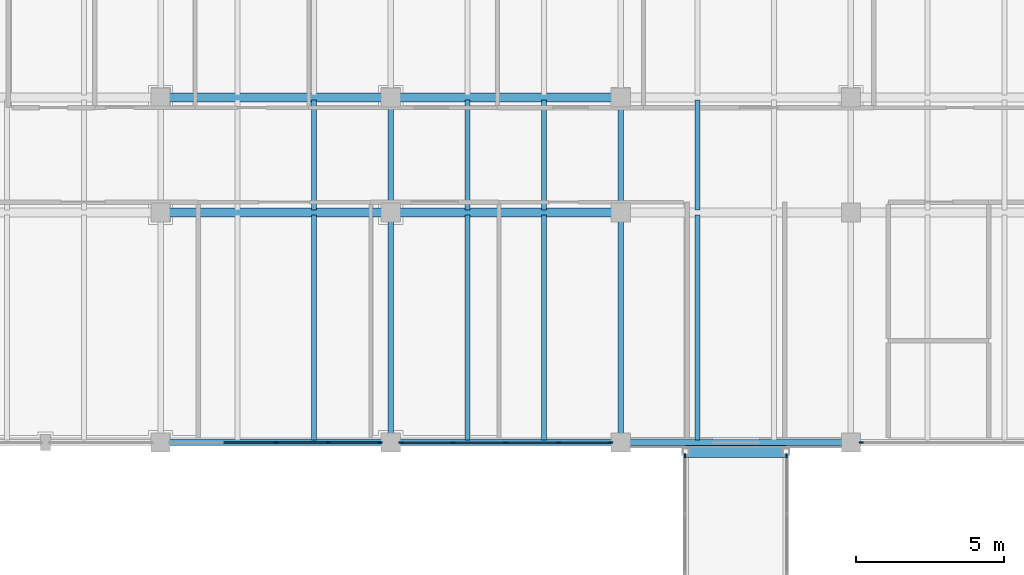
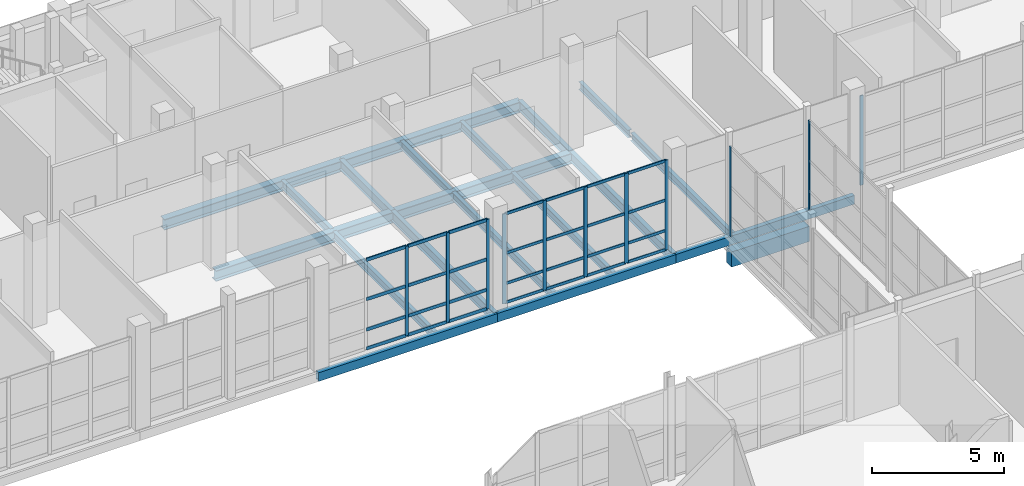
# One storey, part 67 of 131: 39 members, 20 beams, 5 elements without a shape of their own.
"""IFC4 building model written with IfcOpenShell, lengths in metres."""

from ifc_helpers import new_model, si_unit, direction, frame, origin, origin_2d, place, context, subcontext, project, spatial, rectangle, hollow_rectangle, i_section, extrude, material, layer, layer_set, material_profile, profile_set, type_object, element, aggregate, save


model = new_model("IFC4")

# Units and contexts
model_context = context("Model", 3, precision=1e-05, world=origin(), true_north=direction((0.0, 1.0)))
body_context = subcontext(model_context, "Body", "Model", "MODEL_VIEW")
ifc_project = project(units=[si_unit("LENGTHUNIT", "METRE"), si_unit("AREAUNIT", "SQUARE_METRE"), si_unit("VOLUMEUNIT", "CUBIC_METRE"), si_unit("PLANEANGLEUNIT", "RADIAN"), si_unit("MASSUNIT", "GRAM", prefix="KILO")], contexts=[model_context])

# Site, building, storey
site_placement = place(None, origin())
site = spatial("IfcSite", under=ifc_project, at=site_placement, CompositionType="ELEMENT")
building_placement = place(site_placement, origin())
building = spatial("IfcBuilding", under=site, at=building_placement, Name="Celorna Specialist Clinic", CompositionType="ELEMENT")
storey_placement = place(building_placement, origin())
storey = spatial("IfcBuildingStorey", under=building, at=storey_placement, Name="L00", CompositionType="ELEMENT", Elevation=0.0)

# Beams
ifc_material_1 = material(Name="Steel S355", Category="steel")
ifc_material_profile_1 = material_profile(ifc_material_1, i_section(OverallWidth=0.18994140625, OverallDepth=0.449951171875, WebThickness=0.009521484375, FlangeThickness=0.0146484375, at=origin_2d()), Name="IPE 450")
ifc_profile_set_1 = profile_set([ifc_material_profile_1], Name="Steel S355")
beam_type_1 = type_object("IfcBeamType", Name="BM-09", PredefinedType="BEAM", material=ifc_profile_set_1)
beam_1_placement = place(storey_placement, frame((132.60009765625, 96.5, -0.52490234375), z_axis=(0.0, 1.0, 0.0), x_axis=(-1.0, 0.0, 0.0)))
element("IfcBeam", 1, at=beam_1_placement, inside=storey, type_object=beam_type_1, Name="Transverse girder BM-09 #763", PredefinedType="BEAM", context=body_context, shape_type="SweptSolid", body=[
    extrude(i_section(OverallWidth=0.18994140625, OverallDepth=0.449951171875, WebThickness=0.009521484375, FlangeThickness=0.0146484375, at=origin_2d()), origin(), (0.0, 0.0, 1.0), 7.800048828125),
])
beam_2_placement = place(storey_placement, frame((132.60009765625, 104.300048828125, -0.52490234375), z_axis=(0.0, 1.0, 0.0), x_axis=(-1.0, 0.0, 0.0)))
element("IfcBeam", 2, at=beam_2_placement, inside=storey, type_object=beam_type_1, Name="Transverse girder BM-09 #764", PredefinedType="BEAM", context=body_context, shape_type="SweptSolid", body=[
    extrude(i_section(OverallWidth=0.18994140625, OverallDepth=0.449951171875, WebThickness=0.009521484375, FlangeThickness=0.0146484375, at=origin_2d()), origin(), (0.0, 0.0, 1.0), 3.89990234375),
])
beam_3_placement = place(storey_placement, frame((140.39990234375, 96.5, -0.52490234375), z_axis=(0.0, 1.0, 0.0), x_axis=(-1.0, 0.0, 0.0)))
element("IfcBeam", 3, at=beam_3_placement, inside=storey, type_object=beam_type_1, Name="Transverse girder BM-09 #766", PredefinedType="BEAM", context=body_context, shape_type="SweptSolid", body=[
    extrude(i_section(OverallWidth=0.18994140625, OverallDepth=0.449951171875, WebThickness=0.009521484375, FlangeThickness=0.0146484375, at=origin_2d()), origin(), (0.0, 0.0, 1.0), 7.800048828125),
])
beam_4_placement = place(storey_placement, frame((140.39990234375, 104.300048828125, -0.52490234375), z_axis=(0.0, 1.0, 0.0), x_axis=(-1.0, 0.0, 0.0)))
element("IfcBeam", 4, at=beam_4_placement, inside=storey, type_object=beam_type_1, Name="Transverse girder BM-09 #767", PredefinedType="BEAM", context=body_context, shape_type="SweptSolid", body=[
    extrude(i_section(OverallWidth=0.18994140625, OverallDepth=0.449951171875, WebThickness=0.009521484375, FlangeThickness=0.0146484375, at=origin_2d()), origin(), (0.0, 0.0, 1.0), 3.89990234375),
])
ifc_material_profile_2 = material_profile(ifc_material_1, i_section(OverallWidth=0.169921875, OverallDepth=0.360107421875, WebThickness=0.008056640625, FlangeThickness=0.0126953125, at=origin_2d()), Name="IPE 360")
ifc_profile_set_2 = profile_set([ifc_material_profile_2], Name="Steel S355")
beam_type_2 = type_object("IfcBeamType", Name="BM-11", PredefinedType="JOIST", material=ifc_profile_set_2)
beam_5_placement = place(storey_placement, frame((130.0, 96.587890625, -0.47998046875), z_axis=(0.0, 1.0, 0.0), x_axis=(-1.0, 0.0, 0.0)))
element("IfcBeam", 5, at=beam_5_placement, inside=storey, type_object=beam_type_2, Name="Secondary floor joist BM-11 #837", PredefinedType="JOIST", context=body_context, shape_type="SweptSolid", body=[
    extrude(i_section(OverallWidth=0.169921875, OverallDepth=0.360107421875, WebThickness=0.008056640625, FlangeThickness=0.0126953125, at=origin_2d()), origin(), (0.0, 0.0, 1.0), 7.6240234375),
])
beam_6_placement = place(storey_placement, frame((130.0, 104.387939453125, -0.47998046875), z_axis=(0.0, 1.0, 0.0), x_axis=(-1.0, 0.0, 0.0)))
element("IfcBeam", 6, at=beam_6_placement, inside=storey, type_object=beam_type_2, Name="Secondary floor joist BM-11 #839", PredefinedType="JOIST", context=body_context, shape_type="SweptSolid", body=[
    extrude(i_section(OverallWidth=0.169921875, OverallDepth=0.360107421875, WebThickness=0.008056640625, FlangeThickness=0.0126953125, at=origin_2d()), origin(), (0.0, 0.0, 1.0), 3.72412109375),
])
for number, where, z_axis, x_axis, name in (
    (7, (135.199951171875, 96.587890625, -0.47998046875), (0.0, 1.0, 0.0), (-1.0, 0.0, 0.0), "Secondary floor joist BM-11 #842"),
    (8, (137.800048828125, 96.587890625, -0.47998046875), (0.0, 1.0, 0.0), (-1.0, 0.0, 0.0), "Secondary floor joist BM-11 #843"),
):
    element("IfcBeam", number, at=place(storey_placement, frame(where, z_axis=z_axis, x_axis=x_axis)), inside=storey, type_object=beam_type_2, Name=name, PredefinedType="JOIST", context=body_context, shape_type="SweptSolid", body=[
        extrude(i_section(OverallWidth=0.169921875, OverallDepth=0.360107421875, WebThickness=0.008056640625, FlangeThickness=0.0126953125, at=origin_2d()), origin(), (0.0, 0.0, 1.0), 7.6240234375),
    ])
for number, where, z_axis, x_axis, name in (
    (9, (135.199951171875, 104.387939453125, -0.47998046875), (0.0, 1.0, 0.0), (-1.0, 0.0, 0.0), "Secondary floor joist BM-11 #844"),
    (10, (137.800048828125, 104.387939453125, -0.47998046875), (0.0, 1.0, 0.0), (-1.0, 0.0, 0.0), "Secondary floor joist BM-11 #845"),
):
    element("IfcBeam", number, at=place(storey_placement, frame(where, z_axis=z_axis, x_axis=x_axis)), inside=storey, type_object=beam_type_2, Name=name, PredefinedType="JOIST", context=body_context, shape_type="SweptSolid", body=[
        extrude(i_section(OverallWidth=0.169921875, OverallDepth=0.360107421875, WebThickness=0.008056640625, FlangeThickness=0.0126953125, at=origin_2d()), origin(), (0.0, 0.0, 1.0), 3.72412109375),
    ])
beam_7_placement = place(storey_placement, frame((143.0, 96.587890625, -0.47998046875), z_axis=(0.0, 1.0, 0.0), x_axis=(-1.0, 0.0, 0.0)))
element("IfcBeam", 11, at=beam_7_placement, inside=storey, type_object=beam_type_2, Name="Secondary floor joist BM-11 #848", PredefinedType="JOIST", context=body_context, shape_type="SweptSolid", body=[
    extrude(i_section(OverallWidth=0.169921875, OverallDepth=0.360107421875, WebThickness=0.008056640625, FlangeThickness=0.0126953125, at=origin_2d()), origin(), (0.0, 0.0, 1.0), 7.6240234375),
])
beam_8_placement = place(storey_placement, frame((143.0, 104.387939453125, -0.47998046875), z_axis=(0.0, 1.0, 0.0), x_axis=(-1.0, 0.0, 0.0)))
element("IfcBeam", 12, at=beam_8_placement, inside=storey, type_object=beam_type_2, Name="Secondary floor joist BM-11 #850", PredefinedType="JOIST", context=body_context, shape_type="SweptSolid", body=[
    extrude(i_section(OverallWidth=0.169921875, OverallDepth=0.360107421875, WebThickness=0.008056640625, FlangeThickness=0.0126953125, at=origin_2d()), origin(), (0.0, 0.0, 1.0), 3.72412109375),
])
ifc_material_profile_3 = material_profile(ifc_material_1, hollow_rectangle(XDim=0.199951171875, YDim=0.39990234375, WallThickness=0.011962890625, at=origin_2d()), Name="RHS 200x400x12")
ifc_profile_set_3 = profile_set([ifc_material_profile_3], Name="Steel S355")
beam_type_3 = type_object("IfcBeamType", Name="BM-15", PredefinedType="SPANDREL", material=ifc_profile_set_3)
beam_9_placement = place(storey_placement, frame((124.800048828125, 96.5, -0.5), z_axis=(1.0, 0.0, 0.0), x_axis=(0.0, 1.0, 0.0)))
element("IfcBeam", 13, at=beam_9_placement, inside=storey, type_object=beam_type_3, Name="Spandrel beam BM-15 #676", PredefinedType="SPANDREL", context=body_context, shape_type="SweptSolid", body=[
    extrude(hollow_rectangle(XDim=0.199951171875, YDim=0.39990234375, WallThickness=0.011962890625, at=origin_2d()), origin(), (0.0, 0.0, 1.0), 7.800048828125),
])
beam_10_placement = place(storey_placement, frame((132.60009765625, 96.5, -0.5), z_axis=(1.0, 0.0, 0.0), x_axis=(0.0, 1.0, 0.0)))
element("IfcBeam", 14, at=beam_10_placement, inside=storey, type_object=beam_type_3, Name="Spandrel beam BM-15 #677", PredefinedType="SPANDREL", context=body_context, shape_type="SweptSolid", body=[
    extrude(hollow_rectangle(XDim=0.199951171875, YDim=0.39990234375, WallThickness=0.011962890625, at=origin_2d()), origin(), (0.0, 0.0, 1.0), 7.7998046875),
])
beam_11_placement = place(storey_placement, frame((140.39990234375, 96.5, -0.5), z_axis=(1.0, 0.0, 0.0), x_axis=(0.0, 1.0, 0.0)))
element("IfcBeam", 15, at=beam_11_placement, inside=storey, type_object=beam_type_3, Name="Spandrel beam BM-15 #678", PredefinedType="SPANDREL", context=body_context, shape_type="SweptSolid", body=[
    extrude(hollow_rectangle(XDim=0.199951171875, YDim=0.39990234375, WallThickness=0.011962890625, at=origin_2d()), origin(), (0.0, 0.0, 1.0), 7.800048828125),
])
ifc_material_2 = material(Name="Concrete C35/45", Category="concrete")
ifc_material_profile_4 = material_profile(ifc_material_2, rectangle(XDim=0.39990234375, YDim=0.699951171875, at=origin_2d()), Name="RC 400x700")
ifc_profile_set_4 = profile_set([ifc_material_profile_4], Name="Concrete C35/45")
beam_type_4 = type_object("IfcBeamType", Name="BM-19", PredefinedType="BEAM", material=ifc_profile_set_4)
beam_12_placement = place(storey_placement, frame((142.60009765625, 96.199951171875, -1.06494140625), z_axis=(1.0, 0.0, 0.0), x_axis=(0.0, 1.0, 0.0)))
element("IfcBeam", 16, at=beam_12_placement, inside=storey, type_object=beam_type_4, Name="Seismic joint bridge corbel beam BR-05 BM-19 #114", PredefinedType="BEAM", context=body_context, shape_type="SweptSolid", body=[
    extrude(rectangle(XDim=0.39990234375, YDim=0.699951171875, at=origin_2d()), origin(), (0.0, 0.0, 1.0), 3.39990234375),
])
ifc_material_profile_5 = material_profile(ifc_material_1, i_section(OverallWidth=0.300048828125, OverallDepth=0.489990234375, WebThickness=0.011962890625, FlangeThickness=0.02294921875, at=origin_2d()), Name="HE 500 A")
ifc_profile_set_5 = profile_set([ifc_material_profile_5], Name="Steel S355")
beam_type_5 = type_object("IfcBeamType", Name="BM-22", PredefinedType="BEAM", material=ifc_profile_set_5)
beam_13_placement = place(storey_placement, frame((124.800048828125, 104.300048828125, -0.544921875), z_axis=(1.0, 0.0, 0.0), x_axis=(0.0, 1.0, 0.0)))
element("IfcBeam", 17, at=beam_13_placement, inside=storey, type_object=beam_type_5, Name="Primary girder BM-22 #692", PredefinedType="BEAM", context=body_context, shape_type="SweptSolid", body=[
    extrude(i_section(OverallWidth=0.300048828125, OverallDepth=0.489990234375, WebThickness=0.011962890625, FlangeThickness=0.02294921875, at=origin_2d()), origin(), (0.0, 0.0, 1.0), 7.800048828125),
])
beam_14_placement = place(storey_placement, frame((132.60009765625, 104.300048828125, -0.544921875), z_axis=(1.0, 0.0, 0.0), x_axis=(0.0, 1.0, 0.0)))
element("IfcBeam", 18, at=beam_14_placement, inside=storey, type_object=beam_type_5, Name="Primary girder BM-22 #693", PredefinedType="BEAM", context=body_context, shape_type="SweptSolid", body=[
    extrude(i_section(OverallWidth=0.300048828125, OverallDepth=0.489990234375, WebThickness=0.011962890625, FlangeThickness=0.02294921875, at=origin_2d()), origin(), (0.0, 0.0, 1.0), 7.7998046875),
])
beam_15_placement = place(storey_placement, frame((124.800048828125, 108.199951171875, -0.544921875), z_axis=(1.0, 0.0, 0.0), x_axis=(0.0, 1.0, 0.0)))
element("IfcBeam", 19, at=beam_15_placement, inside=storey, type_object=beam_type_5, Name="Primary girder BM-22 #708", PredefinedType="BEAM", context=body_context, shape_type="SweptSolid", body=[
    extrude(i_section(OverallWidth=0.300048828125, OverallDepth=0.489990234375, WebThickness=0.011962890625, FlangeThickness=0.02294921875, at=origin_2d()), origin(), (0.0, 0.0, 1.0), 7.800048828125),
])
beam_16_placement = place(storey_placement, frame((132.60009765625, 108.199951171875, -0.544921875), z_axis=(1.0, 0.0, 0.0), x_axis=(0.0, 1.0, 0.0)))
element("IfcBeam", 20, at=beam_16_placement, inside=storey, type_object=beam_type_5, Name="Primary girder BM-22 #709", PredefinedType="BEAM", context=body_context, shape_type="SweptSolid", body=[
    extrude(i_section(OverallWidth=0.300048828125, OverallDepth=0.489990234375, WebThickness=0.011962890625, FlangeThickness=0.02294921875, at=origin_2d()), origin(), (0.0, 0.0, 1.0), 7.7998046875),
])

# Curtain wall, members
ifc_material_3 = material(Name="Thermally broken aluminium and solar-control glass curtain wall", Category="aluminium")
ifc_layer_1 = layer(ifc_material_3, 0.159912109375, Name="Thermally broken aluminium and solar-control glass curtain wall")
ifc_layer_set_1 = layer_set([ifc_layer_1], Name="Thermally broken aluminium and solar-control glass curtain wall")
curtain_wall_type_1 = type_object("IfcCurtainWallType", Name="CW-48", PredefinedType="NOTDEFINED", material=ifc_layer_set_1)
curtain_wall_1_placement = place(storey_placement, origin())
curtain_wall_1 = element("IfcCurtainWall", 21, at=curtain_wall_1_placement, inside=storey, type_object=curtain_wall_type_1, Name="Curtain wall CW-48 #100", PredefinedType="NOTDEFINED")
ifc_material_4 = material(Name="Anodized aluminium mullion", Category="aluminium")
ifc_material_profile_6 = material_profile(ifc_material_4, rectangle(XDim=0.050048828125, YDim=0.159912109375, at=origin_2d()), Name="ALU MULLION 50x160")
ifc_profile_set_6 = profile_set([ifc_material_profile_6], Name="Anodized aluminium mullion")
member_type_1 = type_object("IfcMemberType", Name="ML-01", PredefinedType="MULLION", material=ifc_profile_set_6)
member_1_placement = place(storey_placement, frame((140.0458984375, 96.5, 0.0), z_axis=(0.0, 0.0, 1.0), x_axis=(0.0, -1.0, 0.0)))
member_1 = element("IfcMember", 22, at=member_1_placement, type_object=member_type_1, Name="CW-48 mullion 1", PredefinedType="MULLION", context=body_context, shape_type="SweptSolid", body=[
    extrude(rectangle(XDim=0.050048828125, YDim=0.159912109375, at=origin_2d()), origin(), (0.0, 0.0, 1.0), 4.139892578125),
])
member_2_placement = place(storey_placement, frame((138.285400390625, 96.5, 0.0), z_axis=(0.0, 0.0, 1.0), x_axis=(0.0, -1.0, 0.0)))
member_2 = element("IfcMember", 23, at=member_2_placement, type_object=member_type_1, Name="CW-48 mullion 2", PredefinedType="MULLION", context=body_context, shape_type="SweptSolid", body=[
    extrude(rectangle(XDim=0.050048828125, YDim=0.159912109375, at=origin_2d()), origin(), (0.0, 0.0, 1.0), 4.139892578125),
])
member_3_placement = place(storey_placement, frame((136.5, 96.5, 0.0), z_axis=(0.0, 0.0, 1.0), x_axis=(0.0, -1.0, 0.0)))
member_3 = element("IfcMember", 24, at=member_3_placement, type_object=member_type_1, Name="CW-48 mullion 3", PredefinedType="MULLION", context=body_context, shape_type="SweptSolid", body=[
    extrude(rectangle(XDim=0.050048828125, YDim=0.159912109375, at=origin_2d()), origin(), (0.0, 0.0, 1.0), 4.139892578125),
])
member_4_placement = place(storey_placement, frame((134.714599609375, 96.5, 0.0), z_axis=(0.0, 0.0, 1.0), x_axis=(0.0, -1.0, 0.0)))
member_4 = element("IfcMember", 25, at=member_4_placement, type_object=member_type_1, Name="CW-48 mullion 4", PredefinedType="MULLION", context=body_context, shape_type="SweptSolid", body=[
    extrude(rectangle(XDim=0.050048828125, YDim=0.159912109375, at=origin_2d()), origin(), (0.0, 0.0, 1.0), 4.139892578125),
])
member_5_placement = place(storey_placement, frame((132.9541015625, 96.5, 0.0), z_axis=(0.0, 0.0, 1.0), x_axis=(0.0, -1.0, 0.0)))
member_5 = element("IfcMember", 26, at=member_5_placement, type_object=member_type_1, Name="CW-48 mullion 5", PredefinedType="MULLION", context=body_context, shape_type="SweptSolid", body=[
    extrude(rectangle(XDim=0.050048828125, YDim=0.159912109375, at=origin_2d()), origin(), (0.0, 0.0, 1.0), 4.139892578125),
])

ifc_layer_2 = layer(ifc_material_3, 0.159912109375, Name="Thermally broken aluminium and solar-control glass curtain wall")
ifc_layer_set_2 = layer_set([ifc_layer_2], Name="Thermally broken aluminium and solar-control glass curtain wall")
curtain_wall_type_2 = type_object("IfcCurtainWallType", Name="CW-47", PredefinedType="NOTDEFINED", material=ifc_layer_set_2)
curtain_wall_2_placement = place(storey_placement, origin())
curtain_wall_2 = element("IfcCurtainWall", 27, at=curtain_wall_2_placement, inside=storey, type_object=curtain_wall_type_2, Name="Curtain wall CW-47 #99", PredefinedType="NOTDEFINED")
ifc_material_profile_7 = material_profile(ifc_material_4, rectangle(XDim=0.050048828125, YDim=0.139892578125, at=origin_2d()), Name="ALU MULLION 50x140")
ifc_profile_set_7 = profile_set([ifc_material_profile_7], Name="Anodized aluminium mullion")
member_type_2 = type_object("IfcMemberType", Name="ML-03", PredefinedType="MULLION", material=ifc_profile_set_7)
member_6_placement = place(storey_placement, frame((132.24609375, 96.5, 0.0), z_axis=(0.0, 0.0, 1.0), x_axis=(0.0, -1.0, 0.0)))
member_6 = element("IfcMember", 28, at=member_6_placement, type_object=member_type_2, Name="CW-47 mullion 1", PredefinedType="MULLION", context=body_context, shape_type="SweptSolid", body=[
    extrude(rectangle(XDim=0.050048828125, YDim=0.139892578125, at=origin_2d()), origin(), (0.0, 0.0, 1.0), 4.139892578125),
])
member_7_placement = place(storey_placement, frame((130.485595703125, 96.5, 0.0), z_axis=(0.0, 0.0, 1.0), x_axis=(0.0, -1.0, 0.0)))
member_7 = element("IfcMember", 29, at=member_7_placement, type_object=member_type_2, Name="CW-47 mullion 2", PredefinedType="MULLION", context=body_context, shape_type="SweptSolid", body=[
    extrude(rectangle(XDim=0.050048828125, YDim=0.139892578125, at=origin_2d()), origin(), (0.0, 0.0, 1.0), 4.139892578125),
])
member_8_placement = place(storey_placement, frame((128.699951171875, 96.5, 0.0), z_axis=(0.0, 0.0, 1.0), x_axis=(0.0, -1.0, 0.0)))
member_8 = element("IfcMember", 30, at=member_8_placement, type_object=member_type_2, Name="CW-47 mullion 3", PredefinedType="MULLION", context=body_context, shape_type="SweptSolid", body=[
    extrude(rectangle(XDim=0.050048828125, YDim=0.139892578125, at=origin_2d()), origin(), (0.0, 0.0, 1.0), 4.139892578125),
])

# Curtain wall, member
curtain_wall_3_placement = place(storey_placement, origin())
curtain_wall_3 = element("IfcCurtainWall", 31, at=curtain_wall_3_placement, inside=storey, type_object=curtain_wall_type_2, Name="Curtain wall CW-47 #101", PredefinedType="NOTDEFINED")
member_9_placement = place(storey_placement, frame((148.553955078125, 96.5, 0.0), z_axis=(0.0, 0.0, 1.0), x_axis=(0.0, -1.0, 0.0)))
member_9 = element("IfcMember", 32, at=member_9_placement, type_object=member_type_2, Name="CW-47 mullion 5", PredefinedType="MULLION", context=body_context, shape_type="SweptSolid", body=[
    extrude(rectangle(XDim=0.050048828125, YDim=0.139892578125, at=origin_2d()), origin(), (0.0, 0.0, 1.0), 4.139892578125),
])
aggregate(curtain_wall_3, [member_9])

ifc_layer_3 = layer(ifc_material_3, 0.159912109375, Name="Thermally broken aluminium and solar-control glass curtain wall")
ifc_layer_set_3 = layer_set([ifc_layer_3], Name="Thermally broken aluminium and solar-control glass curtain wall")
curtain_wall_type_3 = type_object("IfcCurtainWallType", Name="CW-117", PredefinedType="NOTDEFINED", material=ifc_layer_set_3)
curtain_wall_4_placement = place(storey_placement, origin())
curtain_wall_4 = element("IfcCurtainWall", 33, at=curtain_wall_4_placement, inside=storey, type_object=curtain_wall_type_3, Name="Curtain wall CW-117 #217", PredefinedType="NOTDEFINED")
member_10_placement = place(storey_placement, frame((142.580078125, 96.054931640625, 0.0), z_axis=(0.0, 0.0, 1.0), x_axis=(-1.0, 0.0, 0.0)))
member_10 = element("IfcMember", 34, at=member_10_placement, type_object=member_type_2, Name="CW-117 mullion 4", PredefinedType="MULLION", context=body_context, shape_type="SweptSolid", body=[
    extrude(rectangle(XDim=0.050048828125, YDim=0.139892578125, at=origin_2d()), origin(), (0.0, 0.0, 1.0), 4.1298828125),
])
aggregate(curtain_wall_4, [member_10])

curtain_wall_5_placement = place(storey_placement, origin())
curtain_wall_5 = element("IfcCurtainWall", 35, at=curtain_wall_5_placement, inside=storey, type_object=curtain_wall_type_3, Name="Curtain wall CW-117 #218", PredefinedType="NOTDEFINED")
member_11_placement = place(storey_placement, frame((146.02001953125, 96.054931640625, 0.0), z_axis=(0.0, 0.0, 1.0), x_axis=(1.0, 0.0, 0.0)))
member_11 = element("IfcMember", 36, at=member_11_placement, type_object=member_type_2, Name="CW-117 mullion 1", PredefinedType="MULLION", context=body_context, shape_type="SweptSolid", body=[
    extrude(rectangle(XDim=0.050048828125, YDim=0.139892578125, at=origin_2d()), origin(), (0.0, 0.0, 1.0), 4.1298828125),
])
aggregate(curtain_wall_5, [member_11])

# Member
ifc_material_5 = material(Name="Anodized aluminium transom", Category="aluminium")
ifc_material_profile_8 = material_profile(ifc_material_5, rectangle(XDim=0.050048828125, YDim=0.1298828125, at=origin_2d()), Name="ALU TRANSOM 50x130")
ifc_profile_set_8 = profile_set([ifc_material_profile_8], Name="Anodized aluminium transom")
member_type_3 = type_object("IfcMemberType", Name="TR-01", PredefinedType="USERDEFINED", material=ifc_profile_set_8)
member_12_placement = place(storey_placement, frame((140.02099609375, 96.5, 0.02490234375), z_axis=(-1.0, 0.0, 0.0), x_axis=(0.0, -1.0, 0.0)))
member_12 = element("IfcMember", 37, at=member_12_placement, type_object=member_type_3, Name="CW-48 transom 1.1", ObjectType="TRANSOM", PredefinedType="USERDEFINED", context=body_context, shape_type="SweptSolid", body=[
    extrude(rectangle(XDim=0.050048828125, YDim=0.1298828125, at=origin_2d()), origin(), (0.0, 0.0, 1.0), 1.71044921875),
])

member_13_placement = place(storey_placement, frame((140.02099609375, 96.5, 0.89990234375), z_axis=(-1.0, 0.0, 0.0), x_axis=(0.0, -1.0, 0.0)))
member_13 = element("IfcMember", 38, at=member_13_placement, type_object=member_type_3, Name="CW-48 transom 1.2", ObjectType="TRANSOM", PredefinedType="USERDEFINED", context=body_context, shape_type="SweptSolid", body=[
    extrude(rectangle(XDim=0.050048828125, YDim=0.1298828125, at=origin_2d()), origin(), (0.0, 0.0, 1.0), 1.71044921875),
])

member_14_placement = place(storey_placement, frame((140.02099609375, 96.5, 2.300048828125), z_axis=(-1.0, 0.0, 0.0), x_axis=(0.0, -1.0, 0.0)))
member_14 = element("IfcMember", 39, at=member_14_placement, type_object=member_type_3, Name="CW-48 transom 1.3", ObjectType="TRANSOM", PredefinedType="USERDEFINED", context=body_context, shape_type="SweptSolid", body=[
    extrude(rectangle(XDim=0.050048828125, YDim=0.1298828125, at=origin_2d()), origin(), (0.0, 0.0, 1.0), 1.71044921875),
])

member_15_placement = place(storey_placement, frame((140.02099609375, 96.5, 4.114990234375), z_axis=(-1.0, 0.0, 0.0), x_axis=(0.0, -1.0, 0.0)))
member_15 = element("IfcMember", 40, at=member_15_placement, type_object=member_type_3, Name="CW-48 transom 1.4", ObjectType="TRANSOM", PredefinedType="USERDEFINED", context=body_context, shape_type="SweptSolid", body=[
    extrude(rectangle(XDim=0.050048828125, YDim=0.1298828125, at=origin_2d()), origin(), (0.0, 0.0, 1.0), 1.71044921875),
])

member_16_placement = place(storey_placement, frame((138.260498046875, 96.5, 0.02490234375), z_axis=(-1.0, 0.0, 0.0), x_axis=(0.0, -1.0, 0.0)))
member_16 = element("IfcMember", 41, at=member_16_placement, type_object=member_type_3, Name="CW-48 transom 2.1", ObjectType="TRANSOM", PredefinedType="USERDEFINED", context=body_context, shape_type="SweptSolid", body=[
    extrude(rectangle(XDim=0.050048828125, YDim=0.1298828125, at=origin_2d()), origin(), (0.0, 0.0, 1.0), 1.735595703125),
])

member_17_placement = place(storey_placement, frame((138.260498046875, 96.5, 0.89990234375), z_axis=(-1.0, 0.0, 0.0), x_axis=(0.0, -1.0, 0.0)))
member_17 = element("IfcMember", 42, at=member_17_placement, type_object=member_type_3, Name="CW-48 transom 2.2", ObjectType="TRANSOM", PredefinedType="USERDEFINED", context=body_context, shape_type="SweptSolid", body=[
    extrude(rectangle(XDim=0.050048828125, YDim=0.1298828125, at=origin_2d()), origin(), (0.0, 0.0, 1.0), 1.735595703125),
])

member_18_placement = place(storey_placement, frame((138.260498046875, 96.5, 2.300048828125), z_axis=(-1.0, 0.0, 0.0), x_axis=(0.0, -1.0, 0.0)))
member_18 = element("IfcMember", 43, at=member_18_placement, type_object=member_type_3, Name="CW-48 transom 2.3", ObjectType="TRANSOM", PredefinedType="USERDEFINED", context=body_context, shape_type="SweptSolid", body=[
    extrude(rectangle(XDim=0.050048828125, YDim=0.1298828125, at=origin_2d()), origin(), (0.0, 0.0, 1.0), 1.735595703125),
])

member_19_placement = place(storey_placement, frame((138.260498046875, 96.5, 4.114990234375), z_axis=(-1.0, 0.0, 0.0), x_axis=(0.0, -1.0, 0.0)))
member_19 = element("IfcMember", 44, at=member_19_placement, type_object=member_type_3, Name="CW-48 transom 2.4", ObjectType="TRANSOM", PredefinedType="USERDEFINED", context=body_context, shape_type="SweptSolid", body=[
    extrude(rectangle(XDim=0.050048828125, YDim=0.1298828125, at=origin_2d()), origin(), (0.0, 0.0, 1.0), 1.735595703125),
])

member_20_placement = place(storey_placement, frame((136.47509765625, 96.5, 0.02490234375), z_axis=(-1.0, 0.0, 0.0), x_axis=(0.0, -1.0, 0.0)))
member_20 = element("IfcMember", 45, at=member_20_placement, type_object=member_type_3, Name="CW-48 transom 3.1", ObjectType="TRANSOM", PredefinedType="USERDEFINED", context=body_context, shape_type="SweptSolid", body=[
    extrude(rectangle(XDim=0.050048828125, YDim=0.1298828125, at=origin_2d()), origin(), (0.0, 0.0, 1.0), 1.735595703125),
])

member_21_placement = place(storey_placement, frame((136.47509765625, 96.5, 0.89990234375), z_axis=(-1.0, 0.0, 0.0), x_axis=(0.0, -1.0, 0.0)))
member_21 = element("IfcMember", 46, at=member_21_placement, type_object=member_type_3, Name="CW-48 transom 3.2", ObjectType="TRANSOM", PredefinedType="USERDEFINED", context=body_context, shape_type="SweptSolid", body=[
    extrude(rectangle(XDim=0.050048828125, YDim=0.1298828125, at=origin_2d()), origin(), (0.0, 0.0, 1.0), 1.735595703125),
])

member_22_placement = place(storey_placement, frame((136.47509765625, 96.5, 2.300048828125), z_axis=(-1.0, 0.0, 0.0), x_axis=(0.0, -1.0, 0.0)))
member_22 = element("IfcMember", 47, at=member_22_placement, type_object=member_type_3, Name="CW-48 transom 3.3", ObjectType="TRANSOM", PredefinedType="USERDEFINED", context=body_context, shape_type="SweptSolid", body=[
    extrude(rectangle(XDim=0.050048828125, YDim=0.1298828125, at=origin_2d()), origin(), (0.0, 0.0, 1.0), 1.735595703125),
])

member_23_placement = place(storey_placement, frame((136.47509765625, 96.5, 4.114990234375), z_axis=(-1.0, 0.0, 0.0), x_axis=(0.0, -1.0, 0.0)))
member_23 = element("IfcMember", 48, at=member_23_placement, type_object=member_type_3, Name="CW-48 transom 3.4", ObjectType="TRANSOM", PredefinedType="USERDEFINED", context=body_context, shape_type="SweptSolid", body=[
    extrude(rectangle(XDim=0.050048828125, YDim=0.1298828125, at=origin_2d()), origin(), (0.0, 0.0, 1.0), 1.735595703125),
])

member_24_placement = place(storey_placement, frame((134.689453125, 96.5, 0.02490234375), z_axis=(-1.0, 0.0, 0.0), x_axis=(0.0, -1.0, 0.0)))
member_24 = element("IfcMember", 49, at=member_24_placement, type_object=member_type_3, Name="CW-48 transom 4.1", ObjectType="TRANSOM", PredefinedType="USERDEFINED", context=body_context, shape_type="SweptSolid", body=[
    extrude(rectangle(XDim=0.050048828125, YDim=0.1298828125, at=origin_2d()), origin(), (0.0, 0.0, 1.0), 1.71044921875),
])

member_25_placement = place(storey_placement, frame((134.689453125, 96.5, 0.89990234375), z_axis=(-1.0, 0.0, 0.0), x_axis=(0.0, -1.0, 0.0)))
member_25 = element("IfcMember", 50, at=member_25_placement, type_object=member_type_3, Name="CW-48 transom 4.2", ObjectType="TRANSOM", PredefinedType="USERDEFINED", context=body_context, shape_type="SweptSolid", body=[
    extrude(rectangle(XDim=0.050048828125, YDim=0.1298828125, at=origin_2d()), origin(), (0.0, 0.0, 1.0), 1.71044921875),
])

member_26_placement = place(storey_placement, frame((134.689453125, 96.5, 2.300048828125), z_axis=(-1.0, 0.0, 0.0), x_axis=(0.0, -1.0, 0.0)))
member_26 = element("IfcMember", 51, at=member_26_placement, type_object=member_type_3, Name="CW-48 transom 4.3", ObjectType="TRANSOM", PredefinedType="USERDEFINED", context=body_context, shape_type="SweptSolid", body=[
    extrude(rectangle(XDim=0.050048828125, YDim=0.1298828125, at=origin_2d()), origin(), (0.0, 0.0, 1.0), 1.71044921875),
])

member_27_placement = place(storey_placement, frame((134.689453125, 96.5, 4.114990234375), z_axis=(-1.0, 0.0, 0.0), x_axis=(0.0, -1.0, 0.0)))
member_27 = element("IfcMember", 52, at=member_27_placement, type_object=member_type_3, Name="CW-48 transom 4.4", ObjectType="TRANSOM", PredefinedType="USERDEFINED", context=body_context, shape_type="SweptSolid", body=[
    extrude(rectangle(XDim=0.050048828125, YDim=0.1298828125, at=origin_2d()), origin(), (0.0, 0.0, 1.0), 1.71044921875),
])

aggregate(curtain_wall_1, [member_1, member_2, member_3, member_4, member_5, member_12, member_13, member_14, member_15, member_16, member_17, member_18, member_19, member_20, member_21, member_22, member_23, member_24, member_25, member_26, member_27])

ifc_material_profile_9 = material_profile(ifc_material_5, rectangle(XDim=0.050048828125, YDim=0.14990234375, at=origin_2d()), Name="ALU TRANSOM 50x150")
ifc_profile_set_9 = profile_set([ifc_material_profile_9], Name="Anodized aluminium transom")
member_type_4 = type_object("IfcMemberType", Name="TR-02", PredefinedType="USERDEFINED", material=ifc_profile_set_9)
member_28_placement = place(storey_placement, frame((132.220947265625, 96.5, 0.02490234375), z_axis=(-1.0, 0.0, 0.0), x_axis=(0.0, -1.0, 0.0)))
member_28 = element("IfcMember", 53, at=member_28_placement, type_object=member_type_4, Name="CW-47 transom 1.1", ObjectType="TRANSOM", PredefinedType="USERDEFINED", context=body_context, shape_type="SweptSolid", body=[
    extrude(rectangle(XDim=0.050048828125, YDim=0.14990234375, at=origin_2d()), origin(), (0.0, 0.0, 1.0), 1.71044921875),
])

member_29_placement = place(storey_placement, frame((132.220947265625, 96.5, 0.89990234375), z_axis=(-1.0, 0.0, 0.0), x_axis=(0.0, -1.0, 0.0)))
member_29 = element("IfcMember", 54, at=member_29_placement, type_object=member_type_4, Name="CW-47 transom 1.2", ObjectType="TRANSOM", PredefinedType="USERDEFINED", context=body_context, shape_type="SweptSolid", body=[
    extrude(rectangle(XDim=0.050048828125, YDim=0.14990234375, at=origin_2d()), origin(), (0.0, 0.0, 1.0), 1.71044921875),
])

member_30_placement = place(storey_placement, frame((132.220947265625, 96.5, 2.300048828125), z_axis=(-1.0, 0.0, 0.0), x_axis=(0.0, -1.0, 0.0)))
member_30 = element("IfcMember", 55, at=member_30_placement, type_object=member_type_4, Name="CW-47 transom 1.3", ObjectType="TRANSOM", PredefinedType="USERDEFINED", context=body_context, shape_type="SweptSolid", body=[
    extrude(rectangle(XDim=0.050048828125, YDim=0.14990234375, at=origin_2d()), origin(), (0.0, 0.0, 1.0), 1.71044921875),
])

member_31_placement = place(storey_placement, frame((132.220947265625, 96.5, 4.114990234375), z_axis=(-1.0, 0.0, 0.0), x_axis=(0.0, -1.0, 0.0)))
member_31 = element("IfcMember", 56, at=member_31_placement, type_object=member_type_4, Name="CW-47 transom 1.4", ObjectType="TRANSOM", PredefinedType="USERDEFINED", context=body_context, shape_type="SweptSolid", body=[
    extrude(rectangle(XDim=0.050048828125, YDim=0.14990234375, at=origin_2d()), origin(), (0.0, 0.0, 1.0), 1.71044921875),
])

member_32_placement = place(storey_placement, frame((130.46044921875, 96.5, 0.02490234375), z_axis=(-1.0, 0.0, 0.0), x_axis=(0.0, -1.0, 0.0)))
member_32 = element("IfcMember", 57, at=member_32_placement, type_object=member_type_4, Name="CW-47 transom 2.1", ObjectType="TRANSOM", PredefinedType="USERDEFINED", context=body_context, shape_type="SweptSolid", body=[
    extrude(rectangle(XDim=0.050048828125, YDim=0.14990234375, at=origin_2d()), origin(), (0.0, 0.0, 1.0), 1.7353515625),
])

member_33_placement = place(storey_placement, frame((130.46044921875, 96.5, 0.89990234375), z_axis=(-1.0, 0.0, 0.0), x_axis=(0.0, -1.0, 0.0)))
member_33 = element("IfcMember", 58, at=member_33_placement, type_object=member_type_4, Name="CW-47 transom 2.2", ObjectType="TRANSOM", PredefinedType="USERDEFINED", context=body_context, shape_type="SweptSolid", body=[
    extrude(rectangle(XDim=0.050048828125, YDim=0.14990234375, at=origin_2d()), origin(), (0.0, 0.0, 1.0), 1.7353515625),
])

member_34_placement = place(storey_placement, frame((130.46044921875, 96.5, 2.300048828125), z_axis=(-1.0, 0.0, 0.0), x_axis=(0.0, -1.0, 0.0)))
member_34 = element("IfcMember", 59, at=member_34_placement, type_object=member_type_4, Name="CW-47 transom 2.3", ObjectType="TRANSOM", PredefinedType="USERDEFINED", context=body_context, shape_type="SweptSolid", body=[
    extrude(rectangle(XDim=0.050048828125, YDim=0.14990234375, at=origin_2d()), origin(), (0.0, 0.0, 1.0), 1.7353515625),
])

member_35_placement = place(storey_placement, frame((130.46044921875, 96.5, 4.114990234375), z_axis=(-1.0, 0.0, 0.0), x_axis=(0.0, -1.0, 0.0)))
member_35 = element("IfcMember", 60, at=member_35_placement, type_object=member_type_4, Name="CW-47 transom 2.4", ObjectType="TRANSOM", PredefinedType="USERDEFINED", context=body_context, shape_type="SweptSolid", body=[
    extrude(rectangle(XDim=0.050048828125, YDim=0.14990234375, at=origin_2d()), origin(), (0.0, 0.0, 1.0), 1.7353515625),
])

member_36_placement = place(storey_placement, frame((128.675048828125, 96.5, 0.02490234375), z_axis=(-1.0, 0.0, 0.0), x_axis=(0.0, -1.0, 0.0)))
member_36 = element("IfcMember", 61, at=member_36_placement, type_object=member_type_4, Name="CW-47 transom 3.1", ObjectType="TRANSOM", PredefinedType="USERDEFINED", context=body_context, shape_type="SweptSolid", body=[
    extrude(rectangle(XDim=0.050048828125, YDim=0.14990234375, at=origin_2d()), origin(), (0.0, 0.0, 1.0), 1.735595703125),
])

member_37_placement = place(storey_placement, frame((128.675048828125, 96.5, 0.89990234375), z_axis=(-1.0, 0.0, 0.0), x_axis=(0.0, -1.0, 0.0)))
member_37 = element("IfcMember", 62, at=member_37_placement, type_object=member_type_4, Name="CW-47 transom 3.2", ObjectType="TRANSOM", PredefinedType="USERDEFINED", context=body_context, shape_type="SweptSolid", body=[
    extrude(rectangle(XDim=0.050048828125, YDim=0.14990234375, at=origin_2d()), origin(), (0.0, 0.0, 1.0), 1.735595703125),
])

member_38_placement = place(storey_placement, frame((128.675048828125, 96.5, 2.300048828125), z_axis=(-1.0, 0.0, 0.0), x_axis=(0.0, -1.0, 0.0)))
member_38 = element("IfcMember", 63, at=member_38_placement, type_object=member_type_4, Name="CW-47 transom 3.3", ObjectType="TRANSOM", PredefinedType="USERDEFINED", context=body_context, shape_type="SweptSolid", body=[
    extrude(rectangle(XDim=0.050048828125, YDim=0.14990234375, at=origin_2d()), origin(), (0.0, 0.0, 1.0), 1.735595703125),
])

member_39_placement = place(storey_placement, frame((128.675048828125, 96.5, 4.114990234375), z_axis=(-1.0, 0.0, 0.0), x_axis=(0.0, -1.0, 0.0)))
member_39 = element("IfcMember", 64, at=member_39_placement, type_object=member_type_4, Name="CW-47 transom 3.4", ObjectType="TRANSOM", PredefinedType="USERDEFINED", context=body_context, shape_type="SweptSolid", body=[
    extrude(rectangle(XDim=0.050048828125, YDim=0.14990234375, at=origin_2d()), origin(), (0.0, 0.0, 1.0), 1.735595703125),
])

aggregate(curtain_wall_2, [member_6, member_7, member_8, member_28, member_29, member_30, member_31, member_32, member_33, member_34, member_35, member_36, member_37, member_38, member_39])

save(model, "model.ifc")
